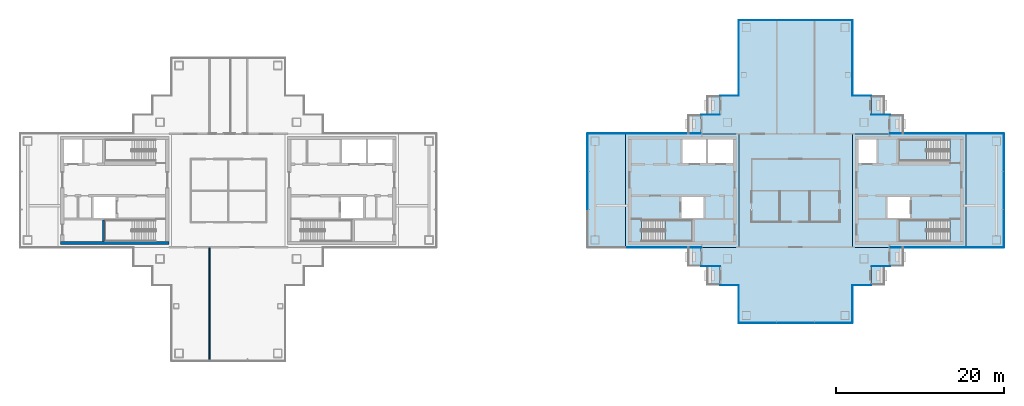
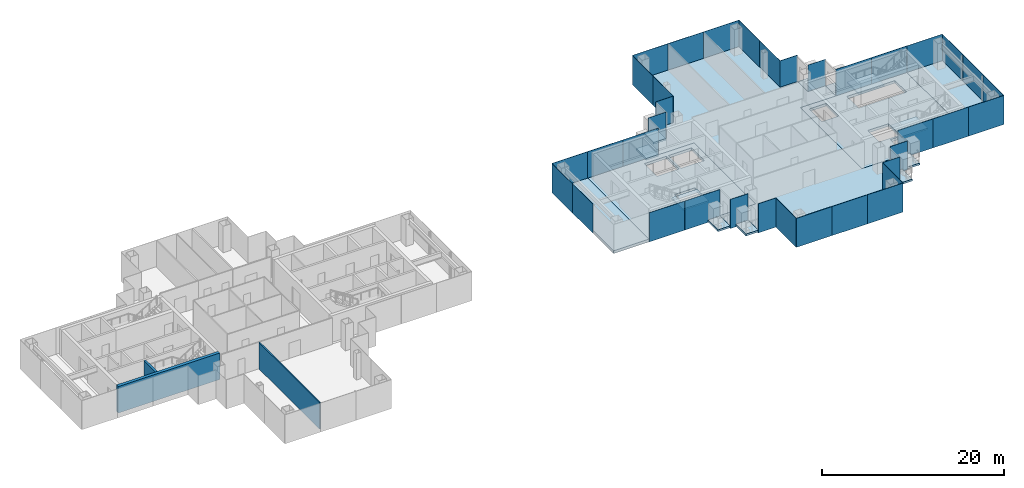
# One storey, part 8 of 16: 36 plates, 16 slabs, 3 walls, 22 elements without a shape of their own.
"""IFC4 building model written with IfcOpenShell, lengths in metres."""

import ifcopenshell
import ifcopenshell.guid

model = None  # the IFC model being written
_history = None  # IfcOwnerHistory: only IFC2X3 demands one
_inside = {}  # id of a spatial element -> (the spatial element, [elements in it])
_under = {}  # id of a project, library or spatial element -> (it, [spatial elements below it])
_declared = {}  # id of a project -> (the project, [libraries it declares])
_typed = {}  # id of a type object -> (the type object, [elements of that type])
_made_of = {}  # id of a material, layer set ... -> (it, [elements and type objects made of it])


def new_model(schema):
    """Start an empty IFC model of exactly this schema.

    Asked for "IFC4X3", IfcOpenShell would pick the latest addendum, in which some entities
    have other attributes; the version numbers below select the first issue.
    IFC2X3 requires an IfcOwnerHistory on every rooted entity: one is made here for all.
    """
    global model, _history
    if schema == "IFC4X3":
        model = ifcopenshell.file(schema_version=(4, 3, 0, 0))
    else:
        model = ifcopenshell.file(schema=schema)
    _inside.clear()
    _under.clear()
    _declared.clear()
    _typed.clear()
    _made_of.clear()
    _history = None
    if model.schema == "IFC2X3":
        org = make("IfcOrganization", Name="unknown")
        user = make(
            "IfcPersonAndOrganization",
            ThePerson=make("IfcPerson", FamilyName="unknown"),
            TheOrganization=org,
        )
        app = make(
            "IfcApplication",
            ApplicationDeveloper=org,
            Version="unknown",
            ApplicationFullName="unknown",
            ApplicationIdentifier="unknown",
        )
        _history = make(
            "IfcOwnerHistory",
            OwningUser=user,
            OwningApplication=app,
            ChangeAction="ADDED",
            CreationDate=0,
        )
    return model


def make(cls, **values):
    """One entity of the class cls with the attributes given. An attribute that is None is left unset."""
    return model.create_entity(
        cls, **{name: value for name, value in values.items() if value is not None}
    )


def rooted(cls, **values):
    """An entity with a GlobalId (a new one), such as an element, a storey or a relation."""
    return make(cls, GlobalId=ifcopenshell.guid.new(), OwnerHistory=_history, **values)


def si_unit(unit_type, name, prefix=None):
    """IfcSIUnit, for example si_unit("LENGTHUNIT", "METRE", prefix="MILLI")."""
    return make("IfcSIUnit", UnitType=unit_type, Prefix=prefix, Name=name)


def assignment(units):
    """IfcUnitAssignment: the units of a project."""
    return None if units is None else make("IfcUnitAssignment", Units=units)


def point(xyz):
    """IfcCartesianPoint."""
    return None if xyz is None else make("IfcCartesianPoint", Coordinates=xyz)


def direction(xyz):
    """IfcDirection."""
    return None if xyz is None else make("IfcDirection", DirectionRatios=xyz)


def frame(location, z_axis=None, x_axis=None):
    """IfcAxis2Placement3D, a coordinate frame: its origin and axes. An axis left out is left unset."""
    return make(
        "IfcAxis2Placement3D",
        Location=point(location),
        Axis=direction(z_axis),
        RefDirection=direction(x_axis),
    )


def frame_2d(location, x_axis=None):
    """IfcAxis2Placement2D, a coordinate frame in the plane: its origin and x axis."""
    return make(
        "IfcAxis2Placement2D", Location=point(location), RefDirection=direction(x_axis)
    )


def origin():
    """The frame at (0, 0, 0) with its axes left unset."""
    return frame((0.0, 0.0, 0.0))


def origin_2d():
    """The frame at (0, 0) in the plane with its x axis left unset."""
    return frame_2d((0.0, 0.0))


def place(relative_to, where):
    """IfcLocalPlacement: puts the frame where relative to a parent placement (None: the world)."""
    return make(
        "IfcLocalPlacement", PlacementRelTo=relative_to, RelativePlacement=where
    )


def context(
    kind, dimensions, precision=None, world=None, true_north=None, identifier=None
):
    """IfcGeometricRepresentationContext, for example the 3D "Model" context."""
    return make(
        "IfcGeometricRepresentationContext",
        ContextIdentifier=identifier,
        ContextType=kind,
        CoordinateSpaceDimension=dimensions,
        Precision=precision,
        WorldCoordinateSystem=world,
        TrueNorth=true_north,
    )


def subcontext(parent, identifier, kind, view, scale=None):
    """IfcGeometricRepresentationSubContext, for example "Body" below "Model"."""
    return make(
        "IfcGeometricRepresentationSubContext",
        ContextIdentifier=identifier,
        ContextType=kind,
        ParentContext=parent,
        TargetScale=scale,
        TargetView=view,
    )


def project(units=None, contexts=None):
    """IfcProject with its units and contexts."""
    return rooted(
        "IfcProject",
        Name="project",
        RepresentationContexts=contexts,
        UnitsInContext=assignment(units),
    )


def spatial(cls, under=None, at=None, **own):
    """A site, building, storey or space (cls), placed at a placement, below another one or the project."""
    s = rooted(cls, ObjectPlacement=at, **own)
    if under is not None:
        _under.setdefault(under.id(), (under, []))[1].append(s)
    return s


def polyline(points):
    """IfcPolyline through the points."""
    return make("IfcPolyline", Points=[point(p) for p in points])


def profile(cls, at=None, kind="AREA", **sizes):
    """A parametric profile (cls). Its sizes go by their IFC names, for example OverallWidth=200.0."""
    return make(cls, ProfileType=kind, Position=at, **sizes)


def rectangle(**sizes):
    """IfcRectangleProfileDef."""
    return profile("IfcRectangleProfileDef", **sizes)


def outline(outer, holes=None, kind="AREA"):
    """IfcArbitraryClosedProfileDef: a profile drawn as a closed curve; with holes, ...WithVoids."""
    if holes is None:
        return make("IfcArbitraryClosedProfileDef", ProfileType=kind, OuterCurve=outer)
    return make(
        "IfcArbitraryProfileDefWithVoids",
        ProfileType=kind,
        OuterCurve=outer,
        InnerCurves=holes,
    )


def extrude(swept, where, along, depth):
    """IfcExtrudedAreaSolid: the profile swept, set in the frame where, extruded along a direction by depth."""
    return make(
        "IfcExtrudedAreaSolid",
        SweptArea=swept,
        Position=where,
        ExtrudedDirection=direction(along),
        Depth=depth,
    )


def shape(context_of_items, identifier, shape_type, items):
    """IfcShapeRepresentation: the items that make up one representation, for example the "Body"."""
    return make(
        "IfcShapeRepresentation",
        ContextOfItems=context_of_items,
        RepresentationIdentifier=identifier,
        RepresentationType=shape_type,
        Items=items,
    )


def material(Name=None, Category=None):
    """IfcMaterial."""
    return make("IfcMaterial", Name=Name, Category=Category)


def layer(
    of_material, thickness, ventilated=None, Name=None, Category=None, Priority=None
):
    """IfcMaterialLayer: one layer of a wall or slab, of a material (None: an air gap)."""
    return make(
        "IfcMaterialLayer",
        Material=of_material,
        LayerThickness=thickness,
        IsVentilated=ventilated,
        Name=Name,
        Category=Category,
        Priority=Priority,
    )


def layer_set(layers, Name=None):
    """IfcMaterialLayerSet."""
    return make("IfcMaterialLayerSet", MaterialLayers=layers, LayerSetName=Name)


def made_of(thing, what):
    """Note that an element or type object is made of a material, layer set ...; save() writes the relation."""
    if what is not None:
        _made_of.setdefault(what.id(), (what, []))[1].append(thing)
    return thing


def type_object(cls, material=None, **own):
    """A type object (cls), such as IfcWallType, which elements share."""
    return made_of(rooted(cls, **own), material)


def element(
    cls,
    number,
    at=None,
    inside=None,
    cuts=None,
    type_object=None,
    material=None,
    context=None,
    identifier="Body",
    shape_type=None,
    held_by="IfcProductDefinitionShape",
    body=None,
    shapes=None,
    **own,
):
    """One element of the class cls, such as IfcWall. Its Tag is "e" and its number.

    at: its placement. inside: the storey or other place that contains it. cuts: it is an
    opening in that element (IfcRelVoidsElement). A single representation is given by context,
    identifier, shape_type and body (its items); several are given by shapes. held_by: the class
    of the entity that holds the representations. save() writes the other relations.
    """
    e = rooted(cls, Tag="e%d" % number, ObjectPlacement=at, **own)
    if body is not None:
        shapes = [shape(context, identifier, shape_type, body)]
    if shapes is not None:
        e.Representation = make(held_by, Representations=shapes)
    if inside is not None:
        _inside.setdefault(inside.id(), (inside, []))[1].append(e)
    if cuts is not None:
        rooted(
            "IfcRelVoidsElement", RelatingBuildingElement=cuts, RelatedOpeningElement=e
        )
    if type_object is not None:
        _typed.setdefault(type_object.id(), (type_object, []))[1].append(e)
    return made_of(e, material)


def aggregate(whole, parts):
    """IfcRelAggregates: a whole, such as a stair, and the parts it consists of."""
    return rooted("IfcRelAggregates", RelatingObject=whole, RelatedObjects=parts)


def save(model, path):
    """Write the relations noted so far, then the file.

    IfcRelAggregates (storeys below a building ...), IfcRelContainedInSpatialStructure (elements
    in a storey), IfcRelDefinesByType, IfcRelAssociatesMaterial and IfcRelDeclares: one each for
    every whole, place, type object, material and project.
    """
    for whole, parts in _under.values():
        aggregate(whole, parts)
    for where, things in _inside.values():
        rooted(
            "IfcRelContainedInSpatialStructure",
            RelatedElements=things,
            RelatingStructure=where,
        )
    for kind, things in _typed.values():
        rooted("IfcRelDefinesByType", RelatedObjects=things, RelatingType=kind)
    for what, things in _made_of.values():
        rooted("IfcRelAssociatesMaterial", RelatedObjects=things, RelatingMaterial=what)
    for by, libraries in _declared.values():
        rooted("IfcRelDeclares", RelatingContext=by, RelatedDefinitions=libraries)
    model.write(path)


model = new_model("IFC4")

# Units and contexts
model_context = context("Model", 3, precision=1e-05, world=origin(), true_north=direction((0.0, 1.0)))
body_context = subcontext(model_context, "Body", "Model", "MODEL_VIEW")
ifc_project = project(units=[si_unit("LENGTHUNIT", "METRE"), si_unit("AREAUNIT", "SQUARE_METRE"), si_unit("VOLUMEUNIT", "CUBIC_METRE"), si_unit("PLANEANGLEUNIT", "RADIAN"), si_unit("MASSUNIT", "GRAM", prefix="KILO")], contexts=[model_context])

# Site, building, storey
site_placement = place(None, origin())
site = spatial("IfcSite", under=ifc_project, at=site_placement, CompositionType="ELEMENT")
building_placement = place(site_placement, origin())
building = spatial("IfcBuilding", under=site, at=building_placement, Name="Shamsa Quay Exchange Towers", CompositionType="ELEMENT")
storey_placement = place(building_placement, frame((0.0, 0.0, 190.5)))
storey = spatial("IfcBuildingStorey", under=building, at=storey_placement, Name="L45", CompositionType="ELEMENT", Elevation=190.5)

# Slabs
ifc_material_1 = material(Name="Precast concrete C40/50", Category="concrete")
ifc_layer_1 = layer(ifc_material_1, 0.25)
ifc_layer_set_1 = layer_set([ifc_layer_1], Name="BALCONY SLAB 250")
slab_type_1 = type_object("IfcSlabType", Name="BALCONY SLAB 250", PredefinedType="FLOOR", material=ifc_layer_set_1)
slab_1_placement = place(storey_placement, frame((0.0, 0.0, -0.25)))
element("IfcSlab", 1, at=slab_1_placement, inside=storey, type_object=slab_type_1, Name="Balcony T2-PKEN L45", PredefinedType="FLOOR", context=body_context, shape_type="SweptSolid", body=[
    extrude(outline(polyline([(24.75, 11.25), (24.75, 9.0380859375), (23.199951171875, 9.0380859375), (23.199951171875, 11.25), (24.75, 11.25)])), origin(), (0.0, 0.0, 1.0), 0.25),
])
slab_2_placement = place(storey_placement, frame((0.0, 0.0, -0.25)))
element("IfcSlab", 2, at=slab_2_placement, inside=storey, type_object=slab_type_1, Name="Balcony T2-PKEN L45", PredefinedType="FLOOR", context=body_context, shape_type="SweptSolid", body=[
    extrude(outline(polyline([(22.5, 9.0), (22.5, 6.7880859375), (20.949951171875, 6.7880859375), (20.949951171875, 9.0), (22.5, 9.0)])), origin(), (0.0, 0.0, 1.0), 0.25),
])
slab_3_placement = place(storey_placement, frame((0.0, 0.0, -0.25)))
element("IfcSlab", 3, at=slab_3_placement, inside=storey, type_object=slab_type_1, Name="Balcony T2-PKES L45", PredefinedType="FLOOR", context=body_context, shape_type="SweptSolid", body=[
    extrude(outline(polyline([(42.75, 9.0380859375), (42.75, 11.25), (44.300048828125, 11.25), (44.300048828125, 9.0380859375), (42.75, 9.0380859375)])), origin(), (0.0, 0.0, 1.0), 0.25),
])
slab_4_placement = place(storey_placement, frame((0.0, 0.0, -0.25)))
element("IfcSlab", 4, at=slab_4_placement, inside=storey, type_object=slab_type_1, Name="Balcony T2-PKES L45", PredefinedType="FLOOR", context=body_context, shape_type="SweptSolid", body=[
    extrude(outline(polyline([(45.0, 6.7880859375), (45.0, 9.0), (46.550048828125, 9.0), (46.550048828125, 6.7880859375), (45.0, 6.7880859375)])), origin(), (0.0, 0.0, 1.0), 0.25),
])
slab_5_placement = place(storey_placement, frame((0.0, 0.0, -0.25)))
element("IfcSlab", 5, at=slab_5_placement, inside=storey, type_object=slab_type_1, Name="Balcony T2-PKWN L45", PredefinedType="FLOOR", context=body_context, shape_type="SweptSolid", body=[
    extrude(outline(polyline([(22.5, -6.7880859375), (22.5, -9.0), (20.949951171875, -9.0), (20.949951171875, -6.7880859375), (22.5, -6.7880859375)])), origin(), (0.0, 0.0, 1.0), 0.25),
])
slab_6_placement = place(storey_placement, frame((0.0, 0.0, -0.25)))
element("IfcSlab", 6, at=slab_6_placement, inside=storey, type_object=slab_type_1, Name="Balcony T2-PKWN L45", PredefinedType="FLOOR", context=body_context, shape_type="SweptSolid", body=[
    extrude(outline(polyline([(24.75, -9.0380859375), (24.75, -11.25), (23.199951171875, -11.25), (23.199951171875, -9.0380859375), (24.75, -9.0380859375)])), origin(), (0.0, 0.0, 1.0), 0.25),
])
slab_7_placement = place(storey_placement, frame((0.0, 0.0, -0.25)))
element("IfcSlab", 7, at=slab_7_placement, inside=storey, type_object=slab_type_1, Name="Balcony T2-PKWS L45", PredefinedType="FLOOR", context=body_context, shape_type="SweptSolid", body=[
    extrude(outline(polyline([(42.75, -11.25), (42.75, -9.0380859375), (44.300048828125, -9.0380859375), (44.300048828125, -11.25), (42.75, -11.25)])), origin(), (0.0, 0.0, 1.0), 0.25),
])
slab_8_placement = place(storey_placement, frame((0.0, 0.0, -0.25)))
element("IfcSlab", 8, at=slab_8_placement, inside=storey, type_object=slab_type_1, Name="Balcony T2-PKWS L45", PredefinedType="FLOOR", context=body_context, shape_type="SweptSolid", body=[
    extrude(outline(polyline([(45.0, -9.0), (45.0, -6.7880859375), (46.550048828125, -6.7880859375), (46.550048828125, -9.0), (45.0, -9.0)])), origin(), (0.0, 0.0, 1.0), 0.25),
])
ifc_material_2 = material(Name="Concrete C50/60", Category="concrete")
ifc_layer_2 = layer(ifc_material_2, 0.35009765625)
ifc_layer_set_2 = layer_set([ifc_layer_2], Name="CORE FLOOR 350 C50/60")
slab_type_2 = type_object("IfcSlabType", Name="CORE FLOOR 350 C50/60", PredefinedType="FLOOR", material=ifc_layer_set_2)
slab_9_placement = place(storey_placement, frame((0.0, 0.0, -0.35009765625)))
element("IfcSlab", 9, at=slab_9_placement, inside=storey, type_object=slab_type_2, Name="Core floor T2A", PredefinedType="FLOOR", context=body_context, shape_type="SweptSolid", body=[
    extrude(outline(polyline([(13.5, -6.75), (27.0, -6.75), (27.0, 6.75), (13.5, 6.75), (13.5, -6.75)]), holes=[polyline([(15.400634765625, -6.050048828125), (15.400634765625, -3.5), (21.5, -3.5), (21.5, -6.050048828125), (15.400634765625, -6.050048828125)]), polyline([(20.300048828125, 3.25), (20.300048828125, 6.050048828125), (23.10009765625, 6.050048828125), (23.10009765625, 3.25), (20.300048828125, 3.25)]), polyline([(23.35009765625, 3.25), (23.35009765625, 6.050048828125), (26.300048828125, 6.050048828125), (26.300048828125, 3.25), (23.35009765625, 3.25)]), polyline([(20.14990234375, -3.25), (20.14990234375, -0.75), (22.800048828125, -0.75), (22.800048828125, -3.25), (20.14990234375, -3.25)])]), origin(), (0.0, 0.0, 1.0), 0.35009765625),
])
slab_10_placement = place(storey_placement, frame((0.0, 0.0, -0.35009765625)))
element("IfcSlab", 10, at=slab_10_placement, inside=storey, type_object=slab_type_2, Name="Core floor T2B", PredefinedType="FLOOR", context=body_context, shape_type="SweptSolid", body=[
    extrude(outline(polyline([(54.0, -6.75), (54.0, 6.75), (40.5, 6.75), (40.5, -6.75), (54.0, -6.75)]), holes=[polyline([(52.099365234375, -3.5), (52.099365234375, -6.050048828125), (46.0, -6.050048828125), (46.0, -3.5), (52.099365234375, -3.5)]), polyline([(52.099365234375, 6.050048828125), (52.099365234375, 3.5), (46.0, 3.5), (46.0, 6.050048828125), (52.099365234375, 6.050048828125)]), polyline([(43.35009765625, 3.25), (41.199951171875, 3.25), (41.199951171875, 6.050048828125), (43.35009765625, 6.050048828125), (43.35009765625, 3.25)]), polyline([(47.35009765625, -3.25), (44.699951171875, -3.25), (44.699951171875, -0.75), (47.35009765625, -0.75), (47.35009765625, -3.25)])]), origin(), (0.0, 0.0, 1.0), 0.35009765625),
])

# Stair, slab
ifc_material_3 = material(Name="Concrete C40/50", Category="concrete")
stair_type = type_object("IfcStairType", Name="EXIT STAIR 22 RISERS 177 MM", PredefinedType="HALF_TURN_STAIR", material=ifc_material_3)
stair_1_placement = place(storey_placement, origin())
stair_1 = element("IfcStair", 11, at=stair_1_placement, inside=storey, type_object=stair_type, Name="L45 Exit stair ST4", PredefinedType="HALF_TURN_STAIR")
ifc_layer_3 = layer(ifc_material_3, 0.199951171875)
ifc_layer_set_3 = layer_set([ifc_layer_3], Name="CORE STAIR LANDING")
slab_type_3 = type_object("IfcSlabType", Name="CORE STAIR LANDING", PredefinedType="LANDING", material=ifc_layer_set_3)
slab_11_placement = place(storey_placement, frame((0.0, 0.0, 1.75)))
slab_11 = element("IfcSlab", 12, at=slab_11_placement, type_object=slab_type_3, Name="ST4 landing 1", PredefinedType="LANDING", context=body_context, shape_type="SweptSolid", body=[
    extrude(outline(polyline([(18.199951171875, -6.050048828125), (21.5, -6.050048828125), (21.5, -3.5), (18.199951171875, -3.5), (18.199951171875, -6.050048828125)])), origin(), (0.0, 0.0, 1.0), 0.199951171875),
])
aggregate(stair_1, [slab_11])

stair_2_placement = place(storey_placement, origin())
stair_2 = element("IfcStair", 13, at=stair_2_placement, inside=storey, type_object=stair_type, Name="L45 Exit stair ST5", PredefinedType="HALF_TURN_STAIR")
slab_12_placement = place(storey_placement, frame((0.0, 0.0, 1.75)))
slab_12 = element("IfcSlab", 14, at=slab_12_placement, type_object=slab_type_3, Name="ST5 landing 1", PredefinedType="LANDING", context=body_context, shape_type="SweptSolid", body=[
    extrude(outline(polyline([(49.300048828125, -3.5), (46.0, -3.5), (46.0, -6.050048828125), (49.300048828125, -6.050048828125), (49.300048828125, -3.5)])), origin(), (0.0, 0.0, 1.0), 0.199951171875),
])
aggregate(stair_2, [slab_12])

stair_3_placement = place(storey_placement, origin())
stair_3 = element("IfcStair", 15, at=stair_3_placement, inside=storey, type_object=stair_type, Name="L45 Exit stair ST6", PredefinedType="HALF_TURN_STAIR")
slab_13_placement = place(storey_placement, frame((0.0, 0.0, 1.75)))
slab_13 = element("IfcSlab", 16, at=slab_13_placement, type_object=slab_type_3, Name="ST6 landing 1", PredefinedType="LANDING", context=body_context, shape_type="SweptSolid", body=[
    extrude(outline(polyline([(49.300048828125, 6.050048828125), (46.0, 6.050048828125), (46.0, 3.5), (49.300048828125, 3.5), (49.300048828125, 6.050048828125)])), origin(), (0.0, 0.0, 1.0), 0.199951171875),
])
aggregate(stair_3, [slab_13])

# Curtain wall, plate
ifc_material_4 = material(Name="Aluminium EN AW-6063 T6, black anodised", Category="aluminium")
ifc_layer_4 = layer(ifc_material_4, 0.280029296875)
ifc_layer_set_4 = layer_set([ifc_layer_4], Name="CW-1 UNITISED VISION GLASS")
curtain_wall_type_1 = type_object("IfcCurtainWallType", Name="CW-1 UNITISED VISION GLASS", PredefinedType="NOTDEFINED", material=ifc_layer_set_4)
curtain_wall_1_placement = place(storey_placement, origin())
curtain_wall_1 = element("IfcCurtainWall", 17, at=curtain_wall_1_placement, inside=storey, type_object=curtain_wall_type_1, Name="CW1 T2-FLK-V-W L45", PredefinedType="NOTDEFINED")
ifc_material_5 = material(Name="Glass, laminated, dark tinted", Category="glass")
ifc_layer_5 = layer(ifc_material_5, 0.0400390625)
ifc_layer_set_5 = layer_set([ifc_layer_5], Name="CW-1 VISION GLASS 40")
plate_type_1 = type_object("IfcPlateType", Name="CW-1 VISION GLASS 40", PredefinedType="CURTAIN_PANEL", material=ifc_layer_set_5)
plate_1_placement = place(storey_placement, frame((56.25, -6.77001953125, -0.349853515625)))
plate_1 = element("IfcPlate", 18, at=plate_1_placement, type_object=plate_type_1, Name="CW1 glass panel", PredefinedType="CURTAIN_PANEL", context=body_context, shape_type="SweptSolid", body=[
    extrude(rectangle(XDim=4.5, YDim=0.0400390625, at=origin_2d()), origin(), (0.0, 0.0, 1.0), 3.89990234375),
])
aggregate(curtain_wall_1, [plate_1])

# Curtain wall, plates
curtain_wall_2_placement = place(storey_placement, origin())
curtain_wall_2 = element("IfcCurtainWall", 19, at=curtain_wall_2_placement, inside=storey, type_object=curtain_wall_type_1, Name="CW1 T2-END-V- L45", PredefinedType="NOTDEFINED")
plate_2_placement = place(storey_placement, frame((58.52001953125, -4.50244140625, -0.349853515625), z_axis=(0.0, 0.0, 1.0), x_axis=(0.0, 1.0, 0.0)))
plate_2 = element("IfcPlate", 20, at=plate_2_placement, type_object=plate_type_1, Name="CW1 glass panel", PredefinedType="CURTAIN_PANEL", context=body_context, shape_type="SweptSolid", body=[
    extrude(rectangle(XDim=4.4951171875, YDim=0.0400390625, at=origin_2d()), origin(), (0.0, 0.0, 1.0), 3.89990234375),
])
plate_3_placement = place(storey_placement, frame((58.52001953125, 0.0, -0.349853515625), z_axis=(0.0, 0.0, 1.0), x_axis=(0.0, 1.0, 0.0)))
plate_3 = element("IfcPlate", 21, at=plate_3_placement, type_object=plate_type_1, Name="CW1 glass panel", PredefinedType="CURTAIN_PANEL", context=body_context, shape_type="SweptSolid", body=[
    extrude(rectangle(XDim=4.489990234375, YDim=0.0400390625, at=origin_2d()), origin(), (0.0, 0.0, 1.0), 3.89990234375),
])
plate_4_placement = place(storey_placement, frame((58.52001953125, 4.50244140625, -0.349853515625), z_axis=(0.0, 0.0, 1.0), x_axis=(0.0, 1.0, 0.0)))
plate_4 = element("IfcPlate", 22, at=plate_4_placement, type_object=plate_type_1, Name="CW1 glass panel", PredefinedType="CURTAIN_PANEL", context=body_context, shape_type="SweptSolid", body=[
    extrude(rectangle(XDim=4.4951171875, YDim=0.0400390625, at=origin_2d()), origin(), (0.0, 0.0, 1.0), 3.89990234375),
])
aggregate(curtain_wall_2, [plate_2, plate_3, plate_4])

# Curtain wall, plate
curtain_wall_3_placement = place(storey_placement, origin())
curtain_wall_3 = element("IfcCurtainWall", 23, at=curtain_wall_3_placement, inside=storey, type_object=curtain_wall_type_1, Name="CW1 T2-FLK-V-E L45", PredefinedType="NOTDEFINED")
plate_5_placement = place(storey_placement, frame((56.25, 6.77001953125, -0.349853515625), z_axis=(0.0, 0.0, 1.0), x_axis=(-1.0, 0.0, 0.0)))
plate_5 = element("IfcPlate", 24, at=plate_5_placement, type_object=plate_type_1, Name="CW1 glass panel", PredefinedType="CURTAIN_PANEL", context=body_context, shape_type="SweptSolid", body=[
    extrude(rectangle(XDim=4.5, YDim=0.0400390625, at=origin_2d()), origin(), (0.0, 0.0, 1.0), 3.89990234375),
])
aggregate(curtain_wall_3, [plate_5])

# Curtain wall, plates
curtain_wall_4_placement = place(storey_placement, origin())
curtain_wall_4 = element("IfcCurtainWall", 25, at=curtain_wall_4_placement, inside=storey, type_object=curtain_wall_type_1, Name="CW1 T2-FLK-U+S L45", PredefinedType="NOTDEFINED")
plate_6_placement = place(storey_placement, frame((40.52001953125, 13.52587890625, -0.349853515625), z_axis=(0.0, 0.0, 1.0), x_axis=(0.0, 1.0, 0.0)))
plate_6 = element("IfcPlate", 26, at=plate_6_placement, type_object=plate_type_1, Name="CW1 glass panel", PredefinedType="CURTAIN_PANEL", context=body_context, shape_type="SweptSolid", body=[
    extrude(rectangle(XDim=4.47607421875, YDim=0.0400390625, at=origin_2d()), origin(), (0.0, 0.0, 1.0), 3.89990234375),
])
plate_7_placement = place(storey_placement, frame((40.52001953125, 18.011962890625, -0.349853515625), z_axis=(0.0, 0.0, 1.0), x_axis=(0.0, 1.0, 0.0)))
plate_7 = element("IfcPlate", 27, at=plate_7_placement, type_object=plate_type_1, Name="CW1 glass panel", PredefinedType="CURTAIN_PANEL", context=body_context, shape_type="SweptSolid", body=[
    extrude(rectangle(XDim=4.47607421875, YDim=0.0400390625, at=origin_2d()), origin(), (0.0, 0.0, 1.0), 3.89990234375),
])
aggregate(curtain_wall_4, [plate_6, plate_7])

curtain_wall_5_placement = place(storey_placement, origin())
curtain_wall_5 = element("IfcCurtainWall", 28, at=curtain_wall_5_placement, inside=storey, type_object=curtain_wall_type_1, Name="CW1 T2-END-U+ L45", PredefinedType="NOTDEFINED")
plate_8_placement = place(storey_placement, frame((38.25244140625, 20.27001953125, -0.349853515625), z_axis=(0.0, 0.0, 1.0), x_axis=(-1.0, 0.0, 0.0)))
plate_8 = element("IfcPlate", 29, at=plate_8_placement, type_object=plate_type_1, Name="CW1 glass panel", PredefinedType="CURTAIN_PANEL", context=body_context, shape_type="SweptSolid", body=[
    extrude(rectangle(XDim=4.4951171875, YDim=0.0400390625, at=origin_2d()), origin(), (0.0, 0.0, 1.0), 3.89990234375),
])
plate_9_placement = place(storey_placement, frame((33.75, 20.27001953125, -0.349853515625), z_axis=(0.0, 0.0, 1.0), x_axis=(-1.0, 0.0, 0.0)))
plate_9 = element("IfcPlate", 30, at=plate_9_placement, type_object=plate_type_1, Name="CW1 glass panel", PredefinedType="CURTAIN_PANEL", context=body_context, shape_type="SweptSolid", body=[
    extrude(rectangle(XDim=4.489990234375, YDim=0.0400390625, at=origin_2d()), origin(), (0.0, 0.0, 1.0), 3.89990234375),
])
plate_10_placement = place(storey_placement, frame((29.24755859375, 20.27001953125, -0.349853515625), z_axis=(0.0, 0.0, 1.0), x_axis=(-1.0, 0.0, 0.0)))
plate_10 = element("IfcPlate", 31, at=plate_10_placement, type_object=plate_type_1, Name="CW1 glass panel", PredefinedType="CURTAIN_PANEL", context=body_context, shape_type="SweptSolid", body=[
    extrude(rectangle(XDim=4.4951171875, YDim=0.0400390625, at=origin_2d()), origin(), (0.0, 0.0, 1.0), 3.89990234375),
])
aggregate(curtain_wall_5, [plate_8, plate_9, plate_10])

curtain_wall_6_placement = place(storey_placement, origin())
curtain_wall_6 = element("IfcCurtainWall", 32, at=curtain_wall_6_placement, inside=storey, type_object=curtain_wall_type_1, Name="CW1 T2-FLK-U+N L45", PredefinedType="NOTDEFINED")
plate_11_placement = place(storey_placement, frame((26.97998046875, 18.00244140625, -0.349853515625), z_axis=(0.0, 0.0, 1.0), x_axis=(0.0, -1.0, 0.0)))
plate_11 = element("IfcPlate", 33, at=plate_11_placement, type_object=plate_type_1, Name="CW1 glass panel", PredefinedType="CURTAIN_PANEL", context=body_context, shape_type="SweptSolid", body=[
    extrude(rectangle(XDim=4.4951171875, YDim=0.0400390625, at=origin_2d()), origin(), (0.0, 0.0, 1.0), 3.89990234375),
])
plate_12_placement = place(storey_placement, frame((26.97998046875, 13.49755859375, -0.349853515625), z_axis=(0.0, 0.0, 1.0), x_axis=(0.0, -1.0, 0.0)))
plate_12 = element("IfcPlate", 34, at=plate_12_placement, type_object=plate_type_1, Name="CW1 glass panel", PredefinedType="CURTAIN_PANEL", context=body_context, shape_type="SweptSolid", body=[
    extrude(rectangle(XDim=4.4951171875, YDim=0.0400390625, at=origin_2d()), origin(), (0.0, 0.0, 1.0), 3.89990234375),
])
aggregate(curtain_wall_6, [plate_11, plate_12])

# Curtain wall, plate
curtain_wall_7_placement = place(storey_placement, origin())
curtain_wall_7 = element("IfcCurtainWall", 35, at=curtain_wall_7_placement, inside=storey, type_object=curtain_wall_type_1, Name="CW1 T2-FLK-V+E L45", PredefinedType="NOTDEFINED")
plate_13_placement = place(storey_placement, frame((11.25, 6.77001953125, -0.349853515625), z_axis=(0.0, 0.0, 1.0), x_axis=(-1.0, 0.0, 0.0)))
plate_13 = element("IfcPlate", 36, at=plate_13_placement, type_object=plate_type_1, Name="CW1 glass panel", PredefinedType="CURTAIN_PANEL", context=body_context, shape_type="SweptSolid", body=[
    extrude(rectangle(XDim=4.5, YDim=0.0400390625, at=origin_2d()), origin(), (0.0, 0.0, 1.0), 3.89990234375),
])
aggregate(curtain_wall_7, [plate_13])

# Curtain wall, plates
curtain_wall_8_placement = place(storey_placement, origin())
curtain_wall_8 = element("IfcCurtainWall", 37, at=curtain_wall_8_placement, inside=storey, type_object=curtain_wall_type_1, Name="CW1 T2-END-V+ L45", PredefinedType="NOTDEFINED")
plate_14_placement = place(storey_placement, frame((8.97998046875, 4.50244140625, -0.349853515625), z_axis=(0.0, 0.0, 1.0), x_axis=(0.0, -1.0, 0.0)))
plate_14 = element("IfcPlate", 38, at=plate_14_placement, type_object=plate_type_1, Name="CW1 glass panel", PredefinedType="CURTAIN_PANEL", context=body_context, shape_type="SweptSolid", body=[
    extrude(rectangle(XDim=4.4951171875, YDim=0.0400390625, at=origin_2d()), origin(), (0.0, 0.0, 1.0), 3.89990234375),
])
plate_15_placement = place(storey_placement, frame((8.97998046875, 0.0, -0.349853515625), z_axis=(0.0, 0.0, 1.0), x_axis=(0.0, -1.0, 0.0)))
plate_15 = element("IfcPlate", 39, at=plate_15_placement, type_object=plate_type_1, Name="CW1 glass panel", PredefinedType="CURTAIN_PANEL", context=body_context, shape_type="SweptSolid", body=[
    extrude(rectangle(XDim=4.489990234375, YDim=0.0400390625, at=origin_2d()), origin(), (0.0, 0.0, 1.0), 3.89990234375),
])
aggregate(curtain_wall_8, [plate_14, plate_15])

# Curtain wall, plate
curtain_wall_9_placement = place(storey_placement, origin())
curtain_wall_9 = element("IfcCurtainWall", 40, at=curtain_wall_9_placement, inside=storey, type_object=curtain_wall_type_1, Name="CW1 T2-FLK-U-N L45", PredefinedType="NOTDEFINED")
plate_16_placement = place(storey_placement, frame((26.97998046875, -13.51904296875, -0.349853515625), z_axis=(0.0, 0.0, 1.0), x_axis=(0.0, -1.0, 0.0)))
plate_16 = element("IfcPlate", 41, at=plate_16_placement, type_object=plate_type_1, Name="CW1 glass panel", PredefinedType="CURTAIN_PANEL", context=body_context, shape_type="SweptSolid", body=[
    extrude(rectangle(XDim=4.4619140625, YDim=0.0400390625, at=origin_2d()), origin(), (0.0, 0.0, 1.0), 3.89990234375),
])
aggregate(curtain_wall_9, [plate_16])

# Curtain wall, plates
curtain_wall_10_placement = place(storey_placement, origin())
curtain_wall_10 = element("IfcCurtainWall", 42, at=curtain_wall_10_placement, inside=storey, type_object=curtain_wall_type_1, Name="CW1 T2-END-U- L45", PredefinedType="NOTDEFINED")
plate_17_placement = place(storey_placement, frame((29.24755859375, -15.77001953125, -0.349853515625)))
plate_17 = element("IfcPlate", 43, at=plate_17_placement, type_object=plate_type_1, Name="CW1 glass panel", PredefinedType="CURTAIN_PANEL", context=body_context, shape_type="SweptSolid", body=[
    extrude(rectangle(XDim=4.4951171875, YDim=0.0400390625, at=origin_2d()), origin(), (0.0, 0.0, 1.0), 3.89990234375),
])
plate_18_placement = place(storey_placement, frame((33.75, -15.77001953125, -0.349853515625)))
plate_18 = element("IfcPlate", 44, at=plate_18_placement, type_object=plate_type_1, Name="CW1 glass panel", PredefinedType="CURTAIN_PANEL", context=body_context, shape_type="SweptSolid", body=[
    extrude(rectangle(XDim=4.489990234375, YDim=0.0400390625, at=origin_2d()), origin(), (0.0, 0.0, 1.0), 3.89990234375),
])
plate_19_placement = place(storey_placement, frame((38.25244140625, -15.77001953125, -0.349853515625)))
plate_19 = element("IfcPlate", 45, at=plate_19_placement, type_object=plate_type_1, Name="CW1 glass panel", PredefinedType="CURTAIN_PANEL", context=body_context, shape_type="SweptSolid", body=[
    extrude(rectangle(XDim=4.4951171875, YDim=0.0400390625, at=origin_2d()), origin(), (0.0, 0.0, 1.0), 3.89990234375),
])
aggregate(curtain_wall_10, [plate_17, plate_18, plate_19])

# Curtain wall, plate
curtain_wall_11_placement = place(storey_placement, origin())
curtain_wall_11 = element("IfcCurtainWall", 46, at=curtain_wall_11_placement, inside=storey, type_object=curtain_wall_type_1, Name="CW1 T2-FLK-U-S L45", PredefinedType="NOTDEFINED")
plate_20_placement = place(storey_placement, frame((40.52001953125, -13.5, -0.349853515625), z_axis=(0.0, 0.0, 1.0), x_axis=(0.0, 1.0, 0.0)))
plate_20 = element("IfcPlate", 47, at=plate_20_placement, type_object=plate_type_1, Name="CW1 glass panel", PredefinedType="CURTAIN_PANEL", context=body_context, shape_type="SweptSolid", body=[
    extrude(rectangle(XDim=4.5, YDim=0.0400390625, at=origin_2d()), origin(), (0.0, 0.0, 1.0), 3.89990234375),
])
aggregate(curtain_wall_11, [plate_20])

# Curtain wall, plates
ifc_layer_6 = layer(ifc_material_4, 0.303955078125)
ifc_layer_set_6 = layer_set([ifc_layer_6], Name="CW-2 UNITISED OPAQUE SPANDREL GLASS")
curtain_wall_type_2 = type_object("IfcCurtainWallType", Name="CW-2 UNITISED OPAQUE SPANDREL GLASS", PredefinedType="NOTDEFINED", material=ifc_layer_set_6)
curtain_wall_12_placement = place(storey_placement, origin())
curtain_wall_12 = element("IfcCurtainWall", 48, at=curtain_wall_12_placement, inside=storey, type_object=curtain_wall_type_2, Name="CW2 T2-FLK-V-W L45", PredefinedType="NOTDEFINED")
ifc_material_6 = material(Name="Glass, laminated, black enamelled opaque", Category="glass")
ifc_layer_7 = layer(ifc_material_6, 0.0439453125)
ifc_layer_set_7 = layer_set([ifc_layer_7], Name="CW-2 SPANDREL GLASS 44")
plate_type_2 = type_object("IfcPlateType", Name="CW-2 SPANDREL GLASS 44", PredefinedType="CURTAIN_PANEL", material=ifc_layer_set_7)
plate_21_placement = place(storey_placement, frame((47.27587890625, -6.77197265625, -0.349853515625)))
plate_21 = element("IfcPlate", 49, at=plate_21_placement, type_object=plate_type_2, Name="CW2 glass panel", PredefinedType="CURTAIN_PANEL", context=body_context, shape_type="SweptSolid", body=[
    extrude(rectangle(XDim=4.47607421875, YDim=0.0439453125, at=origin_2d()), origin(), (0.0, 0.0, 1.0), 3.89990234375),
])
plate_22_placement = place(storey_placement, frame((51.761962890625, -6.77197265625, -0.349853515625)))
plate_22 = element("IfcPlate", 50, at=plate_22_placement, type_object=plate_type_2, Name="CW2 glass panel", PredefinedType="CURTAIN_PANEL", context=body_context, shape_type="SweptSolid", body=[
    extrude(rectangle(XDim=4.47607421875, YDim=0.0439453125, at=origin_2d()), origin(), (0.0, 0.0, 1.0), 3.89990234375),
])
aggregate(curtain_wall_12, [plate_21, plate_22])

curtain_wall_13_placement = place(storey_placement, origin())
curtain_wall_13 = element("IfcCurtainWall", 51, at=curtain_wall_13_placement, inside=storey, type_object=curtain_wall_type_2, Name="CW2 T2-FLK-V-E L45", PredefinedType="NOTDEFINED")
plate_23_placement = place(storey_placement, frame((51.75244140625, 6.77197265625, -0.349853515625), z_axis=(0.0, 0.0, 1.0), x_axis=(-1.0, 0.0, 0.0)))
plate_23 = element("IfcPlate", 52, at=plate_23_placement, type_object=plate_type_2, Name="CW2 glass panel", PredefinedType="CURTAIN_PANEL", context=body_context, shape_type="SweptSolid", body=[
    extrude(rectangle(XDim=4.4951171875, YDim=0.0439453125, at=origin_2d()), origin(), (0.0, 0.0, 1.0), 3.89990234375),
])
plate_24_placement = place(storey_placement, frame((47.24755859375, 6.77197265625, -0.349853515625), z_axis=(0.0, 0.0, 1.0), x_axis=(-1.0, 0.0, 0.0)))
plate_24 = element("IfcPlate", 53, at=plate_24_placement, type_object=plate_type_2, Name="CW2 glass panel", PredefinedType="CURTAIN_PANEL", context=body_context, shape_type="SweptSolid", body=[
    extrude(rectangle(XDim=4.4951171875, YDim=0.0439453125, at=origin_2d()), origin(), (0.0, 0.0, 1.0), 3.89990234375),
])
aggregate(curtain_wall_13, [plate_23, plate_24])

curtain_wall_14_placement = place(storey_placement, origin())
curtain_wall_14 = element("IfcCurtainWall", 54, at=curtain_wall_14_placement, inside=storey, type_object=curtain_wall_type_2, Name="CW2 T2-FLK-V+E L45", PredefinedType="NOTDEFINED")
plate_25_placement = place(storey_placement, frame((20.22412109375, 6.77197265625, -0.349853515625), z_axis=(0.0, 0.0, 1.0), x_axis=(-1.0, 0.0, 0.0)))
plate_25 = element("IfcPlate", 55, at=plate_25_placement, type_object=plate_type_2, Name="CW2 glass panel", PredefinedType="CURTAIN_PANEL", context=body_context, shape_type="SweptSolid", body=[
    extrude(rectangle(XDim=4.47607421875, YDim=0.0439453125, at=origin_2d()), origin(), (0.0, 0.0, 1.0), 3.89990234375),
])
plate_26_placement = place(storey_placement, frame((15.738037109375, 6.77197265625, -0.349853515625), z_axis=(0.0, 0.0, 1.0), x_axis=(-1.0, 0.0, 0.0)))
plate_26 = element("IfcPlate", 56, at=plate_26_placement, type_object=plate_type_2, Name="CW2 glass panel", PredefinedType="CURTAIN_PANEL", context=body_context, shape_type="SweptSolid", body=[
    extrude(rectangle(XDim=4.47607421875, YDim=0.0439453125, at=origin_2d()), origin(), (0.0, 0.0, 1.0), 3.89990234375),
])
aggregate(curtain_wall_14, [plate_25, plate_26])

curtain_wall_15_placement = place(storey_placement, origin())
curtain_wall_15 = element("IfcCurtainWall", 57, at=curtain_wall_15_placement, inside=storey, type_object=curtain_wall_type_2, Name="CW2 T2-FLK-V+W L45", PredefinedType="NOTDEFINED")
plate_27_placement = place(storey_placement, frame((15.74755859375, -6.77197265625, -0.349853515625)))
plate_27 = element("IfcPlate", 58, at=plate_27_placement, type_object=plate_type_2, Name="CW2 glass panel", PredefinedType="CURTAIN_PANEL", context=body_context, shape_type="SweptSolid", body=[
    extrude(rectangle(XDim=4.4951171875, YDim=0.0439453125, at=origin_2d()), origin(), (0.0, 0.0, 1.0), 3.89990234375),
])
plate_28_placement = place(storey_placement, frame((20.25244140625, -6.77197265625, -0.349853515625)))
plate_28 = element("IfcPlate", 59, at=plate_28_placement, type_object=plate_type_2, Name="CW2 glass panel", PredefinedType="CURTAIN_PANEL", context=body_context, shape_type="SweptSolid", body=[
    extrude(rectangle(XDim=4.4951171875, YDim=0.0439453125, at=origin_2d()), origin(), (0.0, 0.0, 1.0), 3.89990234375),
])
aggregate(curtain_wall_15, [plate_27, plate_28])

ifc_layer_8 = layer(ifc_material_4, 0.256103515625)
ifc_layer_set_8 = layer_set([ifc_layer_8], Name="CW-4 POCKET SERRATED GLAZING")
curtain_wall_type_3 = type_object("IfcCurtainWallType", Name="CW-4 POCKET SERRATED GLAZING", PredefinedType="NOTDEFINED", material=ifc_layer_set_8)
curtain_wall_16_placement = place(storey_placement, origin())
curtain_wall_16 = element("IfcCurtainWall", 60, at=curtain_wall_16_placement, inside=storey, type_object=curtain_wall_type_3, Name="CW4 PKWS L45", PredefinedType="NOTDEFINED")
ifc_layer_9 = layer(ifc_material_5, 0.035888671875)
ifc_layer_set_9 = layer_set([ifc_layer_9], Name="CW-4 POCKET GLASS 36")
plate_type_3 = type_object("IfcPlateType", Name="CW-4 POCKET GLASS 36", PredefinedType="CURTAIN_PANEL", material=ifc_layer_set_9)
plate_29_placement = place(storey_placement, frame((43.89404296875, -9.01806640625, -0.349853515625)))
plate_29 = element("IfcPlate", 61, at=plate_29_placement, type_object=plate_type_3, Name="CW4 glass panel", PredefinedType="CURTAIN_PANEL", context=body_context, shape_type="SweptSolid", body=[
    extrude(rectangle(XDim=2.2119140625, YDim=0.035888671875, at=origin_2d()), origin(), (0.0, 0.0, 1.0), 3.89990234375),
])
plate_30_placement = place(storey_placement, frame((41.64599609375, -11.26806640625, -0.349853515625)))
plate_30 = element("IfcPlate", 62, at=plate_30_placement, type_object=plate_type_3, Name="CW4 glass panel", PredefinedType="CURTAIN_PANEL", context=body_context, shape_type="SweptSolid", body=[
    extrude(rectangle(XDim=2.2080078125, YDim=0.035888671875, at=origin_2d()), origin(), (0.0, 0.0, 1.0), 3.89990234375),
])
aggregate(curtain_wall_16, [plate_29, plate_30])

curtain_wall_17_placement = place(storey_placement, origin())
curtain_wall_17 = element("IfcCurtainWall", 63, at=curtain_wall_17_placement, inside=storey, type_object=curtain_wall_type_3, Name="CW4 PKES L45", PredefinedType="NOTDEFINED")
plate_31_placement = place(storey_placement, frame((43.875, 9.01806640625, -0.349853515625), z_axis=(0.0, 0.0, 1.0), x_axis=(-1.0, 0.0, 0.0)))
plate_31 = element("IfcPlate", 64, at=plate_31_placement, type_object=plate_type_3, Name="CW4 glass panel", PredefinedType="CURTAIN_PANEL", context=body_context, shape_type="SweptSolid", body=[
    extrude(rectangle(XDim=2.25, YDim=0.035888671875, at=origin_2d()), origin(), (0.0, 0.0, 1.0), 3.89990234375),
])
plate_32_placement = place(storey_placement, frame((41.625, 11.26806640625, -0.349853515625), z_axis=(0.0, 0.0, 1.0), x_axis=(-1.0, 0.0, 0.0)))
plate_32 = element("IfcPlate", 65, at=plate_32_placement, type_object=plate_type_3, Name="CW4 glass panel", PredefinedType="CURTAIN_PANEL", context=body_context, shape_type="SweptSolid", body=[
    extrude(rectangle(XDim=2.25, YDim=0.035888671875, at=origin_2d()), origin(), (0.0, 0.0, 1.0), 3.89990234375),
])
aggregate(curtain_wall_17, [plate_31, plate_32])

curtain_wall_18_placement = place(storey_placement, origin())
curtain_wall_18 = element("IfcCurtainWall", 66, at=curtain_wall_18_placement, inside=storey, type_object=curtain_wall_type_3, Name="CW4 PKEN L45", PredefinedType="NOTDEFINED")
plate_33_placement = place(storey_placement, frame((25.85400390625, 11.26806640625, -0.349853515625), z_axis=(0.0, 0.0, 1.0), x_axis=(-1.0, 0.0, 0.0)))
plate_33 = element("IfcPlate", 67, at=plate_33_placement, type_object=plate_type_3, Name="CW4 glass panel", PredefinedType="CURTAIN_PANEL", context=body_context, shape_type="SweptSolid", body=[
    extrude(rectangle(XDim=2.2080078125, YDim=0.035888671875, at=origin_2d()), origin(), (0.0, 0.0, 1.0), 3.89990234375),
])
plate_34_placement = place(storey_placement, frame((23.60595703125, 9.01806640625, -0.349853515625), z_axis=(0.0, 0.0, 1.0), x_axis=(-1.0, 0.0, 0.0)))
plate_34 = element("IfcPlate", 68, at=plate_34_placement, type_object=plate_type_3, Name="CW4 glass panel", PredefinedType="CURTAIN_PANEL", context=body_context, shape_type="SweptSolid", body=[
    extrude(rectangle(XDim=2.2119140625, YDim=0.035888671875, at=origin_2d()), origin(), (0.0, 0.0, 1.0), 3.89990234375),
])
aggregate(curtain_wall_18, [plate_33, plate_34])

curtain_wall_19_placement = place(storey_placement, origin())
curtain_wall_19 = element("IfcCurtainWall", 69, at=curtain_wall_19_placement, inside=storey, type_object=curtain_wall_type_3, Name="CW4 PKWN L45", PredefinedType="NOTDEFINED")
plate_35_placement = place(storey_placement, frame((23.625, -9.01806640625, -0.349853515625)))
plate_35 = element("IfcPlate", 70, at=plate_35_placement, type_object=plate_type_3, Name="CW4 glass panel", PredefinedType="CURTAIN_PANEL", context=body_context, shape_type="SweptSolid", body=[
    extrude(rectangle(XDim=2.25, YDim=0.035888671875, at=origin_2d()), origin(), (0.0, 0.0, 1.0), 3.89990234375),
])
plate_36_placement = place(storey_placement, frame((25.875, -11.26806640625, -0.349853515625)))
plate_36 = element("IfcPlate", 71, at=plate_36_placement, type_object=plate_type_3, Name="CW4 glass panel", PredefinedType="CURTAIN_PANEL", context=body_context, shape_type="SweptSolid", body=[
    extrude(rectangle(XDim=2.25, YDim=0.035888671875, at=origin_2d()), origin(), (0.0, 0.0, 1.0), 3.89990234375),
])
aggregate(curtain_wall_19, [plate_35, plate_36])

# Slabs
ifc_layer_10 = layer(ifc_material_3, 0.35009765625)
ifc_layer_set_10 = layer_set([ifc_layer_10], Name="Flat slab 350")
slab_type_4 = type_object("IfcSlabType", Name="Flat slab 350", PredefinedType="FLOOR", material=ifc_layer_set_10)
slab_14_placement = place(storey_placement, frame((0.0, 0.0, -0.35009765625)))
element("IfcSlab", 72, at=slab_14_placement, inside=storey, type_object=slab_type_4, Name="Flat slab T2 L45 4", PredefinedType="FLOOR", context=body_context, shape_type="SweptSolid", body=[
    extrude(outline(polyline([(9.0, -6.75), (13.5, -6.75), (13.5, 6.75), (9.0, 6.75), (9.0, -6.75)])), origin(), (0.0, 0.0, 1.0), 0.35009765625),
])
slab_15_placement = place(storey_placement, frame((0.0, 0.0, -0.35009765625)))
element("IfcSlab", 73, at=slab_15_placement, inside=storey, type_object=slab_type_4, Name="Flat slab T2 L45 5", PredefinedType="FLOOR", context=body_context, shape_type="SweptSolid", body=[
    extrude(outline(polyline([(45.0, -9.0), (45.0, -6.75), (40.5, -6.75), (40.5, 6.75), (45.0, 6.75), (45.0, 9.0), (42.75, 9.0), (42.75, 11.25), (40.5, 11.25), (40.5, 20.25), (27.0, 20.25), (27.0, 11.25), (24.75, 11.25), (24.75, 9.0), (22.5, 9.0), (22.5, 6.75), (27.0, 6.75), (27.0, -6.75), (22.5, -6.75), (22.5, -9.0), (24.75, -9.0), (24.75, -11.25), (27.0, -11.25), (27.0, -15.75), (40.5, -15.75), (40.5, -11.25), (42.75, -11.25), (42.75, -9.0), (45.0, -9.0)])), origin(), (0.0, 0.0, 1.0), 0.35009765625),
])
slab_16_placement = place(storey_placement, frame((0.0, 0.0, -0.35009765625)))
element("IfcSlab", 74, at=slab_16_placement, inside=storey, type_object=slab_type_4, Name="Flat slab T2 L45 6", PredefinedType="FLOOR", context=body_context, shape_type="SweptSolid", body=[
    extrude(outline(polyline([(58.5, 6.75), (54.0, 6.75), (54.0, -6.75), (58.5, -6.75), (58.5, 6.75)])), origin(), (0.0, 0.0, 1.0), 0.35009765625),
])

# Walls
ifc_material_7 = material(Name="Concrete C60/75", Category="concrete")
ifc_layer_11 = layer(ifc_material_7, 0.39990234375)
ifc_layer_set_11 = layer_set([ifc_layer_11], Name="CORE WALL 400 C60/75")
wall_type_1 = type_object("IfcWallType", Name="CORE WALL 400 C60/75", PredefinedType="SHEAR", material=ifc_layer_set_11)
wall_1_placement = place(storey_placement, frame((-40.800048828125, -6.25, 0.0), z_axis=(0.0, 0.0, 1.0), x_axis=(-1.0, 0.0, 0.0)))
element("IfcWall", 75, at=wall_1_placement, inside=storey, type_object=wall_type_1, Name="Core wall T1B-R20-PS", PredefinedType="SHEAR", context=body_context, shape_type="SweptSolid", body=[
    extrude(rectangle(XDim=12.89990234375, YDim=0.39990234375, at=frame_2d((6.449951171875, 0.0))), origin(), (0.0, 0.0, 1.0), 3.550048828125),
])
ifc_material_8 = material(Name="Gypsum board partition on metal studs")
ifc_layer_12 = layer(ifc_material_8, 0.14990234375)
ifc_layer_set_12 = layer_set([ifc_layer_12], Name="Partition 150 mm EI 60")
wall_type_2 = type_object("IfcWallType", Name="Partition 150 mm EI 60", PredefinedType="PARTITIONING", material=ifc_layer_set_12)
wall_2_placement = place(storey_placement, frame((-36.0, -20.155029296875, 0.0), z_axis=(0.0, 0.0, 1.0), x_axis=(0.0, 1.0, 0.0)))
element("IfcWall", 76, at=wall_2_placement, inside=storey, type_object=wall_type_2, Name="Partition T1-R20-W11", PredefinedType="PARTITIONING", context=body_context, shape_type="SweptSolid", body=[
    extrude(rectangle(XDim=13.330078125, YDim=0.14990234375, at=frame_2d((6.6650390625, 0.0))), origin(), (0.0, 0.0, 1.0), 3.550048828125),
])
ifc_layer_13 = layer(ifc_material_2, 0.25)
ifc_layer_set_13 = layer_set([ifc_layer_13], Name="SHAFT WALL 250 C50/60")
wall_type_3 = type_object("IfcWallType", Name="SHAFT WALL 250 C50/60", PredefinedType="SHEAR", material=ifc_layer_set_13)
wall_3_placement = place(storey_placement, frame((-48.625, -6.050048828125, 0.0), z_axis=(0.0, 0.0, 1.0), x_axis=(0.0, 1.0, 0.0)))
element("IfcWall", 77, at=wall_3_placement, inside=storey, type_object=wall_type_3, Name="Shaft wall T1B-R20-STF", PredefinedType="SHEAR", context=body_context, shape_type="SweptSolid", body=[
    extrude(rectangle(XDim=2.550048828125, YDim=0.25, at=frame_2d((1.27490234375, 0.0))), origin(), (0.0, 0.0, 1.0), 3.550048828125),
])

save(model, "model.ifc")
